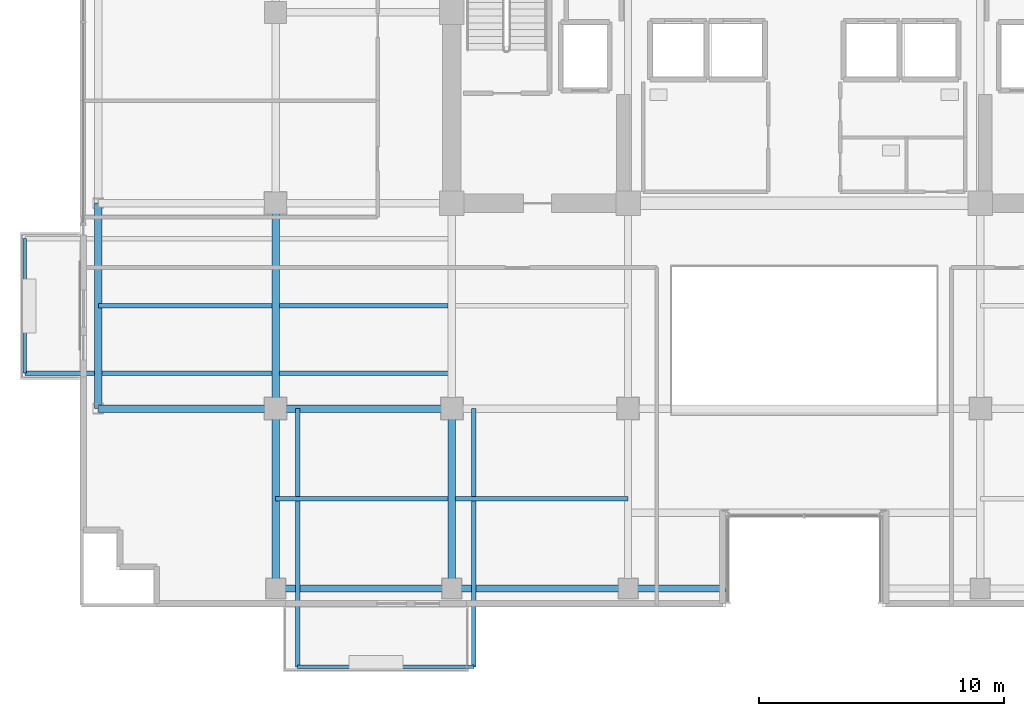
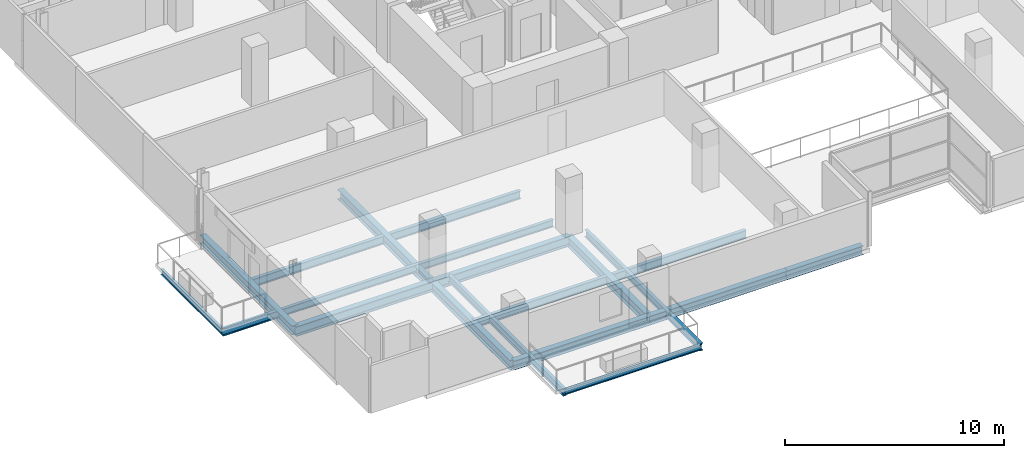
# One storey, part 2 of 28: 18 beams.
"""IFC4 building model written with IfcOpenShell, lengths in metres."""

from ifc_helpers import new_model, si_unit, direction, frame, origin, origin_2d, place, context, subcontext, project, spatial, i_section, extrude, material, material_profile, profile_set, type_object, element, save


model = new_model("IFC4")

# Units and contexts
model_context = context("Model", 3, precision=1e-05, world=origin(), true_north=direction((0.0, 1.0)))
body_context = subcontext(model_context, "Body", "Model", "MODEL_VIEW")
ifc_project = project(units=[si_unit("LENGTHUNIT", "METRE"), si_unit("AREAUNIT", "SQUARE_METRE"), si_unit("VOLUMEUNIT", "CUBIC_METRE"), si_unit("PLANEANGLEUNIT", "RADIAN"), si_unit("MASSUNIT", "GRAM", prefix="KILO")], contexts=[model_context])

# Site, building, storey
site_placement = place(None, origin())
site = spatial("IfcSite", under=ifc_project, at=site_placement, CompositionType="ELEMENT")
building_placement = place(site_placement, origin())
building = spatial("IfcBuilding", under=site, at=building_placement, Name="Zarnakvel Exchange Tower", CompositionType="ELEMENT")
storey_placement = place(building_placement, frame((0.0, 0.0, 109.89990234375)))
storey = spatial("IfcBuildingStorey", under=building, at=storey_placement, Name="L30", CompositionType="ELEMENT", Elevation=109.89990234375)

# Beams
ifc_material = material(Name="Steel S355", Category="steel")
ifc_material_profile_1 = material_profile(ifc_material, i_section(OverallWidth=0.18994140625, OverallDepth=0.449951171875, WebThickness=0.009521484375, FlangeThickness=0.0146484375, FilletRadius=0.02099609375, at=origin_2d()))
ifc_profile_set_1 = profile_set([ifc_material_profile_1], Name="Steel S355")
beam_type_1 = type_object("IfcBeamType", Name="B-05", PredefinedType="JOIST", material=ifc_profile_set_1)
for number, where, z_axis, x_axis, name in (
    (1, (-21.60009765625, -13.27490234375, -0.449951171875), (1.0, 0.0, 0.0), (0.0, 1.0, 0.0), "L30 Composite Floor Secondary Joist"),
    (2, (-14.25, -13.27490234375, -0.449951171875), (1.0, 0.0, 0.0), (0.0, 1.0, 0.0), "L30 Composite Floor Secondary Joist"),
):
    element("IfcBeam", number, at=place(storey_placement, frame(where, z_axis=z_axis, x_axis=x_axis)), inside=storey, type_object=beam_type_1, Name=name, PredefinedType="JOIST", context=body_context, shape_type="SweptSolid", body=[
        extrude(i_section(OverallWidth=0.18994140625, OverallDepth=0.449951171875, WebThickness=0.009521484375, FlangeThickness=0.0146484375, FilletRadius=0.02099609375, at=origin_2d()), origin(), (0.0, 0.0, 1.0), 7.050048828125),
    ])
beam_1_placement = place(storey_placement, frame((-28.85009765625, -5.39990234375, -0.449951171875), z_axis=(1.0, 0.0, 0.0), x_axis=(0.0, 1.0, 0.0)))
element("IfcBeam", 3, at=beam_1_placement, inside=storey, type_object=beam_type_1, Name="L30 Composite Floor Secondary Joist", PredefinedType="JOIST", context=body_context, shape_type="SweptSolid", body=[
    extrude(i_section(OverallWidth=0.18994140625, OverallDepth=0.449951171875, WebThickness=0.009521484375, FlangeThickness=0.0146484375, FilletRadius=0.02099609375, at=origin_2d()), origin(), (0.0, 0.0, 1.0), 7.10009765625),
])
beam_2_placement = place(storey_placement, frame((-21.449951171875, -5.39990234375, -0.449951171875), z_axis=(1.0, 0.0, 0.0), x_axis=(0.0, 1.0, 0.0)))
element("IfcBeam", 4, at=beam_2_placement, inside=storey, type_object=beam_type_1, Name="L30 Composite Floor Secondary Joist", PredefinedType="JOIST", context=body_context, shape_type="SweptSolid", body=[
    extrude(i_section(OverallWidth=0.18994140625, OverallDepth=0.449951171875, WebThickness=0.009521484375, FlangeThickness=0.0146484375, FilletRadius=0.02099609375, at=origin_2d()), origin(), (0.0, 0.0, 1.0), 6.89990234375),
])
ifc_material_profile_2 = material_profile(ifc_material, i_section(OverallWidth=0.179931640625, OverallDepth=0.39990234375, WebThickness=0.008544921875, FlangeThickness=0.013427734375, FilletRadius=0.02099609375, at=origin_2d()))
ifc_profile_set_2 = profile_set([ifc_material_profile_2], Name="Steel S355")
beam_type_2 = type_object("IfcBeamType", Name="B-06", PredefinedType="JOIST", material=ifc_profile_set_2)
for number, where, z_axis, x_axis, name in (
    (5, (-20.699951171875, -9.60009765625, -0.4248046875), (0.0, -1.0, 0.0), (1.0, 0.0, 0.0), "L30 Continuous Back-Spanned Balcony Beam W"),
    (6, (-13.5, -9.60009765625, -0.4248046875), (0.0, -1.0, 0.0), (1.0, 0.0, 0.0), "L30 Continuous Back-Spanned Balcony Beam E"),
):
    element("IfcBeam", number, at=place(storey_placement, frame(where, z_axis=z_axis, x_axis=x_axis)), inside=storey, type_object=beam_type_2, Name=name, PredefinedType="JOIST", context=body_context, shape_type="SweptSolid", body=[
        extrude(i_section(OverallWidth=0.179931640625, OverallDepth=0.39990234375, WebThickness=0.008544921875, FlangeThickness=0.013427734375, FilletRadius=0.02099609375, at=origin_2d()), origin(), (0.0, 0.0, 1.0), 10.5498046875),
    ])
beam_3_placement = place(storey_placement, frame((-14.39990234375, -8.14990234375, -0.4248046875), z_axis=(-1.0, 0.0, 0.0), x_axis=(0.0, -1.0, 0.0)))
element("IfcBeam", 7, at=beam_3_placement, inside=storey, type_object=beam_type_2, Name="L30 Continuous West Loggia Beam S", PredefinedType="JOIST", context=body_context, shape_type="SweptSolid", body=[
    extrude(i_section(OverallWidth=0.179931640625, OverallDepth=0.39990234375, WebThickness=0.008544921875, FlangeThickness=0.013427734375, FilletRadius=0.02099609375, at=origin_2d()), origin(), (0.0, 0.0, 1.0), 17.4501953125),
])
ifc_material_profile_3 = material_profile(ifc_material, i_section(OverallWidth=0.14990234375, OverallDepth=0.300048828125, WebThickness=0.007080078125, FlangeThickness=0.0107421875, FilletRadius=0.014892578125, at=origin_2d()))
ifc_profile_set_3 = profile_set([ifc_material_profile_3], Name="Steel S355")
beam_type_3 = type_object("IfcBeamType", Name="B-08", PredefinedType="JOIST", material=ifc_profile_set_3)
beam_4_placement = place(storey_placement, frame((-20.699951171875, -20.14990234375, -0.375), z_axis=(1.0, 0.0, 0.0), x_axis=(0.0, 1.0, 0.0)))
element("IfcBeam", 8, at=beam_4_placement, inside=storey, type_object=beam_type_3, Name="L30 Balcony Edge Beam", PredefinedType="JOIST", context=body_context, shape_type="SweptSolid", body=[
    extrude(i_section(OverallWidth=0.14990234375, OverallDepth=0.300048828125, WebThickness=0.007080078125, FlangeThickness=0.0107421875, FilletRadius=0.014892578125, at=origin_2d()), origin(), (0.0, 0.0, 1.0), 7.199951171875),
])
beam_5_placement = place(storey_placement, frame((-31.85009765625, -8.14990234375, -0.375), z_axis=(0.0, 1.0, 0.0), x_axis=(-1.0, 0.0, 0.0)))
element("IfcBeam", 9, at=beam_5_placement, inside=storey, type_object=beam_type_3, Name="L30 West Loggia Edge Beam", PredefinedType="JOIST", context=body_context, shape_type="SweptSolid", body=[
    extrude(i_section(OverallWidth=0.14990234375, OverallDepth=0.300048828125, WebThickness=0.007080078125, FlangeThickness=0.0107421875, FilletRadius=0.014892578125, at=origin_2d()), origin(), (0.0, 0.0, 1.0), 5.5),
])
ifc_material_profile_4 = material_profile(ifc_material, i_section(OverallWidth=0.300048828125, OverallDepth=0.550048828125, WebThickness=0.014892578125, FlangeThickness=0.029052734375, FilletRadius=0.027099609375, at=origin_2d()))
ifc_profile_set_4 = profile_set([ifc_material_profile_4], Name="Steel S355")
beam_type_4 = type_object("IfcBeamType", Name="G-05", PredefinedType="BEAM", material=ifc_profile_set_4)
beam_6_placement = place(storey_placement, frame((-28.85009765625, -9.60009765625, -0.5), z_axis=(1.0, 0.0, 0.0), x_axis=(0.0, 1.0, 0.0)))
element("IfcBeam", 10, at=beam_6_placement, inside=storey, type_object=beam_type_4, Name="L30 Tower E-W Frame Beam", PredefinedType="BEAM", context=body_context, shape_type="SweptSolid", body=[
    extrude(i_section(OverallWidth=0.300048828125, OverallDepth=0.550048828125, WebThickness=0.014892578125, FlangeThickness=0.029052734375, FilletRadius=0.027099609375, at=origin_2d()), origin(), (0.0, 0.0, 1.0), 7.25),
])
beam_7_placement = place(storey_placement, frame((-21.60009765625, -9.60009765625, -0.5), z_axis=(1.0, 0.0, 0.0), x_axis=(0.0, 1.0, 0.0)))
element("IfcBeam", 11, at=beam_7_placement, inside=storey, type_object=beam_type_4, Name="L30 Tower E-W Frame Beam", PredefinedType="BEAM", context=body_context, shape_type="SweptSolid", body=[
    extrude(i_section(OverallWidth=0.300048828125, OverallDepth=0.550048828125, WebThickness=0.014892578125, FlangeThickness=0.029052734375, FilletRadius=0.027099609375, at=origin_2d()), origin(), (0.0, 0.0, 1.0), 7.2001953125),
])
beam_8_placement = place(storey_placement, frame((-21.60009765625, -16.949951171875, -0.5), z_axis=(0.0, 1.0, 0.0), x_axis=(-1.0, 0.0, 0.0)))
element("IfcBeam", 12, at=beam_8_placement, inside=storey, type_object=beam_type_4, Name="L30 Tower N-S Frame Beam", PredefinedType="BEAM", context=body_context, shape_type="SweptSolid", body=[
    extrude(i_section(OverallWidth=0.300048828125, OverallDepth=0.550048828125, WebThickness=0.014892578125, FlangeThickness=0.029052734375, FilletRadius=0.027099609375, at=origin_2d()), origin(), (0.0, 0.0, 1.0), 7.349853515625),
])
beam_9_placement = place(storey_placement, frame((-21.60009765625, -9.60009765625, -0.5), z_axis=(0.0, 1.0, 0.0), x_axis=(-1.0, 0.0, 0.0)))
element("IfcBeam", 13, at=beam_9_placement, inside=storey, type_object=beam_type_4, Name="L30 Tower N-S Frame Beam", PredefinedType="BEAM", context=body_context, shape_type="SweptSolid", body=[
    extrude(i_section(OverallWidth=0.300048828125, OverallDepth=0.550048828125, WebThickness=0.014892578125, FlangeThickness=0.029052734375, FilletRadius=0.027099609375, at=origin_2d()), origin(), (0.0, 0.0, 1.0), 8.400146484375),
])
beam_10_placement = place(storey_placement, frame((-14.39990234375, -16.949951171875, -0.5), z_axis=(0.0, 1.0, 0.0), x_axis=(-1.0, 0.0, 0.0)))
element("IfcBeam", 14, at=beam_10_placement, inside=storey, type_object=beam_type_4, Name="L30 Tower N-S Frame Beam", PredefinedType="BEAM", context=body_context, shape_type="SweptSolid", body=[
    extrude(i_section(OverallWidth=0.300048828125, OverallDepth=0.550048828125, WebThickness=0.014892578125, FlangeThickness=0.029052734375, FilletRadius=0.027099609375, at=origin_2d()), origin(), (0.0, 0.0, 1.0), 7.349853515625),
])
ifc_material_profile_5 = material_profile(ifc_material, i_section(OverallWidth=0.300048828125, OverallDepth=0.5, WebThickness=0.014404296875, FlangeThickness=0.028076171875, FilletRadius=0.027099609375, at=origin_2d()))
ifc_profile_set_5 = profile_set([ifc_material_profile_5], Name="Steel S355")
beam_type_5 = type_object("IfcBeamType", Name="SP-02", PredefinedType="SPANDREL", material=ifc_profile_set_5)
beam_11_placement = place(storey_placement, frame((-21.60009765625, -16.949951171875, -0.474853515625), z_axis=(1.0, 0.0, 0.0), x_axis=(0.0, 1.0, 0.0)))
element("IfcBeam", 15, at=beam_11_placement, inside=storey, type_object=beam_type_5, Name="L30 Tower E-W Frame Beam", PredefinedType="SPANDREL", context=body_context, shape_type="SweptSolid", body=[
    extrude(i_section(OverallWidth=0.300048828125, OverallDepth=0.5, WebThickness=0.014404296875, FlangeThickness=0.028076171875, FilletRadius=0.027099609375, at=origin_2d()), origin(), (0.0, 0.0, 1.0), 7.2001953125),
])
beam_12_placement = place(storey_placement, frame((-14.39990234375, -16.949951171875, -0.474853515625), z_axis=(1.0, 0.0, 0.0), x_axis=(0.0, 1.0, 0.0)))
element("IfcBeam", 16, at=beam_12_placement, inside=storey, type_object=beam_type_5, Name="L30 Tower E-W Frame Beam", PredefinedType="SPANDREL", context=body_context, shape_type="SweptSolid", body=[
    extrude(i_section(OverallWidth=0.300048828125, OverallDepth=0.5, WebThickness=0.014404296875, FlangeThickness=0.028076171875, FilletRadius=0.027099609375, at=origin_2d()), origin(), (0.0, 0.0, 1.0), 7.199951171875),
])
beam_13_placement = place(storey_placement, frame((-7.199951171875, -16.949951171875, -0.474853515625), z_axis=(1.0, 0.0, 0.0), x_axis=(0.0, 1.0, 0.0)))
element("IfcBeam", 17, at=beam_13_placement, inside=storey, type_object=beam_type_5, Name="L30 South Slot West Jamb Spandrel", PredefinedType="SPANDREL", context=body_context, shape_type="SweptSolid", body=[
    extrude(i_section(OverallWidth=0.300048828125, OverallDepth=0.5, WebThickness=0.014404296875, FlangeThickness=0.028076171875, FilletRadius=0.027099609375, at=origin_2d()), origin(), (0.0, 0.0, 1.0), 4.0),
])
beam_14_placement = place(storey_placement, frame((-28.85009765625, -9.60009765625, -0.474853515625), z_axis=(0.0, 1.0, 0.0), x_axis=(-1.0, 0.0, 0.0)))
element("IfcBeam", 18, at=beam_14_placement, inside=storey, type_object=beam_type_5, Name="L30 Tower N-S Frame Beam", PredefinedType="SPANDREL", context=body_context, shape_type="SweptSolid", body=[
    extrude(i_section(OverallWidth=0.300048828125, OverallDepth=0.5, WebThickness=0.014404296875, FlangeThickness=0.028076171875, FilletRadius=0.027099609375, at=origin_2d()), origin(), (0.0, 0.0, 1.0), 8.400146484375),
])

save(model, "model.ifc")
